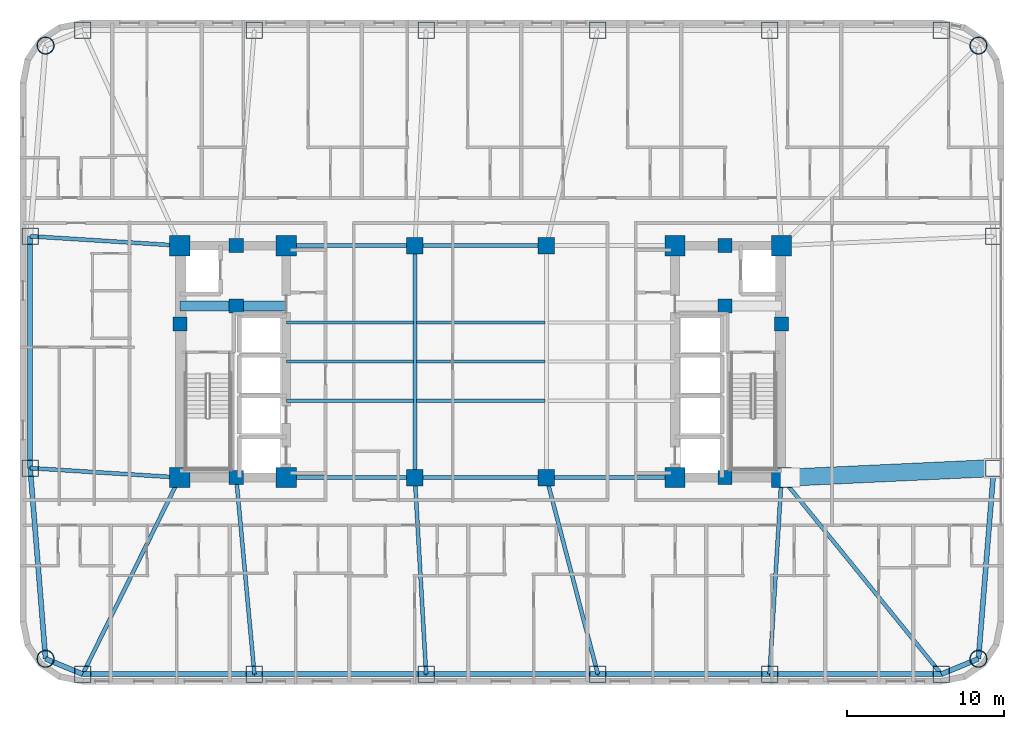
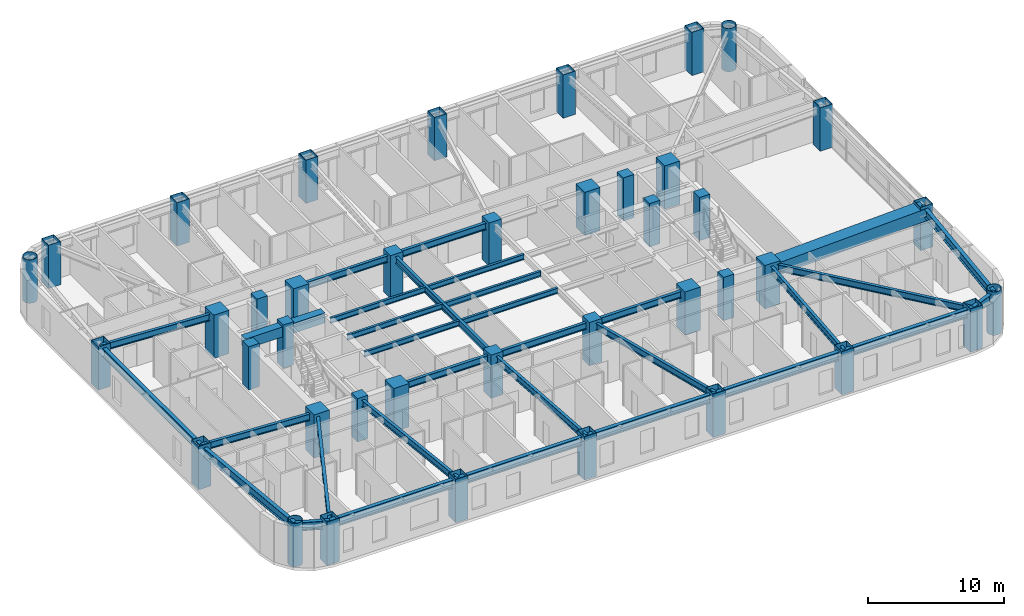
# One storey, part 1 of 16: 40 columns, 32 beams.
"""IFC4 building model written with IfcOpenShell, lengths in metres."""

from ifc_helpers import new_model, si_unit, direction, frame, origin, origin_2d, place, context, subcontext, project, spatial, rectangle, hollow_rectangle, hollow_circle, i_section, extrude, material, material_profile, profile_set, type_object, element, save


model = new_model("IFC4")

# Units and contexts
model_context = context("Model", 3, precision=1e-05, world=origin(), true_north=direction((0.0, 1.0)))
body_context = subcontext(model_context, "Body", "Model", "MODEL_VIEW")
ifc_project = project(units=[si_unit("LENGTHUNIT", "METRE"), si_unit("AREAUNIT", "SQUARE_METRE"), si_unit("VOLUMEUNIT", "CUBIC_METRE"), si_unit("PLANEANGLEUNIT", "RADIAN"), si_unit("MASSUNIT", "GRAM", prefix="KILO")], contexts=[model_context])

# Site, building, storey
site_placement = place(None, origin())
site = spatial("IfcSite", under=ifc_project, at=site_placement, CompositionType="ELEMENT")
building_placement = place(site_placement, origin())
building = spatial("IfcBuilding", under=site, at=building_placement, Name="Voryun Gate Residences", CompositionType="ELEMENT")
storey_placement = place(building_placement, frame((0.0, 0.0, 93.60009765625)))
storey = spatial("IfcBuildingStorey", under=building, at=storey_placement, Name="L22", CompositionType="ELEMENT", Elevation=93.60009765625)

# Columns
ifc_material_1 = material(Name="Concrete C50/60", Category="concrete")
ifc_material_profile_1 = material_profile(ifc_material_1, rectangle(XDim=1.050048828125, YDim=1.050048828125, at=origin_2d()), Name="RC-1050x1050")
ifc_profile_set_1 = profile_set([ifc_material_profile_1], Name="Concrete C50/60")
column_type_1 = type_object("IfcColumnType", Name="COL_CORE_1050", PredefinedType="COLUMN", material=ifc_profile_set_1)
for number, where, z_axis, x_axis, name in (
    (1, (-4.199951171875, -7.39990234375, 0.0), (0.0, 0.0, 1.0), (1.0, 0.0, 0.0), "L22 Interior spine column SP-WS"),
    (2, (-4.199951171875, 7.39990234375, 0.0), (0.0, 0.0, 1.0), (1.0, 0.0, 0.0), "L22 Interior spine column SP-WN"),
    (3, (4.199951171875, -7.39990234375, 0.0), (0.0, 0.0, 1.0), (1.0, 0.0, 0.0), "L22 Interior spine column SP-ES"),
    (4, (4.199951171875, 7.39990234375, 0.0), (0.0, 0.0, 1.0), (1.0, 0.0, 0.0), "L22 Interior spine column SP-EN"),
):
    element("IfcColumn", number, at=place(storey_placement, frame(where, z_axis=z_axis, x_axis=x_axis)), inside=storey, type_object=column_type_1, Name=name, PredefinedType="COLUMN", context=body_context, shape_type="SweptSolid", body=[
        extrude(rectangle(XDim=1.050048828125, YDim=1.050048828125, at=origin_2d()), origin(), (0.0, 0.0, 1.0), 3.89990234375),
    ])
ifc_material_2 = material(Name="Concrete C50/60", Category="concrete")
ifc_material_profile_2 = material_profile(ifc_material_2, rectangle(XDim=0.89990234375, YDim=0.89990234375, at=origin_2d()), Name="RC-900x900")
ifc_profile_set_2 = profile_set([ifc_material_profile_2], Name="Concrete C50/60")
column_type_2 = type_object("IfcColumnType", Name="COL_CORE_900", PredefinedType="COLUMN", material=ifc_profile_set_2)
for number, where, z_axis, x_axis, name in (
    (5, (-19.199951171875, 2.39990234375, 0.0), (0.0, 0.0, 1.0), (1.0, 0.0, 0.0), "L22 Core boundary column WC-MW"),
    (6, (-15.60009765625, -7.39990234375, 0.0), (0.0, 0.0, 1.0), (1.0, 0.0, 0.0), "L22 Core boundary column WC-SM"),
    (7, (-15.60009765625, 7.39990234375, 0.0), (0.0, 0.0, 1.0), (1.0, 0.0, 0.0), "L22 Core boundary column WC-NM"),
    (8, (-15.60009765625, 3.550048828125, 0.0), (0.0, 0.0, 1.0), (1.0, 0.0, 0.0), "L22 Core boundary column WC-MM"),
    (9, (15.60009765625, 3.550048828125, 0.0), (0.0, 0.0, 1.0), (1.0, 0.0, 0.0), "L22 Core boundary column EC-MM"),
    (10, (15.60009765625, -7.39990234375, 0.0), (0.0, 0.0, 1.0), (1.0, 0.0, 0.0), "L22 Core boundary column EC-SM"),
    (11, (15.60009765625, 7.39990234375, 0.0), (0.0, 0.0, 1.0), (1.0, 0.0, 0.0), "L22 Core boundary column EC-NM"),
    (12, (19.199951171875, 2.39990234375, 0.0), (0.0, 0.0, 1.0), (1.0, 0.0, 0.0), "L22 Core boundary column EC-ME"),
):
    element("IfcColumn", number, at=place(storey_placement, frame(where, z_axis=z_axis, x_axis=x_axis)), inside=storey, type_object=column_type_2, Name=name, PredefinedType="COLUMN", context=body_context, shape_type="SweptSolid", body=[
        extrude(rectangle(XDim=0.89990234375, YDim=0.89990234375, at=origin_2d()), origin(), (0.0, 0.0, 1.0), 3.89990234375),
    ])
ifc_material_3 = material(Name="Steel SM420", Category="steel")
ifc_material_profile_3 = material_profile(ifc_material_3, hollow_circle(Radius=0.550048828125, WallThickness=0.035888671875, at=origin_2d()), Name="CHS-1100x36")
ifc_profile_set_3 = profile_set([ifc_material_profile_3], Name="Steel SM420")
column_type_3 = type_object("IfcColumnType", Name="COL_CRN_1100", PredefinedType="COLUMN", material=ifc_profile_set_3)
for number, where, z_axis, x_axis, name in (
    (13, (31.768798828125, -18.96875, 0.0), (0.0, 0.0, 1.0), (1.0, 0.0, 0.0), "L22 Exoskeleton column CSE"),
    (14, (31.768798828125, 20.168701171875, 0.0), (0.0, 0.0, 1.0), (1.0, 0.0, 0.0), "L22 Exoskeleton column CNE"),
    (15, (-27.768798828125, 20.168701171875, 0.0), (0.0, 0.0, 1.0), (1.0, 0.0, 0.0), "L22 Exoskeleton column CNW"),
    (16, (-27.768798828125, -18.96875, 0.0), (0.0, 0.0, 1.0), (1.0, 0.0, 0.0), "L22 Exoskeleton column CSW"),
):
    element("IfcColumn", number, at=place(storey_placement, frame(where, z_axis=z_axis, x_axis=x_axis)), inside=storey, type_object=column_type_3, Name=name, PredefinedType="COLUMN", context=body_context, shape_type="SweptSolid", body=[
        extrude(hollow_circle(Radius=0.550048828125, WallThickness=0.035888671875, at=origin_2d()), origin(), (0.0, 0.0, 1.0), 3.89990234375),
    ])
ifc_material_4 = material(Name="Steel SM420", Category="steel")
ifc_material_profile_4 = material_profile(ifc_material_4, hollow_rectangle(XDim=1.050048828125, YDim=1.050048828125, WallThickness=0.035888671875, at=origin_2d()), Name="BOX-1050x1050x36")
ifc_profile_set_4 = profile_set([ifc_material_profile_4], Name="Steel SM420")
column_type_4 = type_object("IfcColumnType", Name="COL_EXO_B2", PredefinedType="COLUMN", material=ifc_profile_set_4)
for number, where, z_axis, x_axis, name in (
    (17, (-25.39990234375, -19.949951171875, 0.0), (0.0, 0.0, 1.0), (1.0, 0.0, 0.0), "L22 Exoskeleton column S1"),
    (18, (-14.43994140625, -19.949951171875, 0.0), (0.0, 0.0, 1.0), (1.0, 0.0, 0.0), "L22 Exoskeleton column S2"),
    (19, (-3.47998046875, -19.949951171875, 0.0), (0.0, 0.0, 1.0), (1.0, 0.0, 0.0), "L22 Exoskeleton column S3"),
    (20, (7.47998046875, -19.949951171875, 0.0), (0.0, 0.0, 1.0), (1.0, 0.0, 0.0), "L22 Exoskeleton column S4"),
    (21, (18.43994140625, -19.949951171875, 0.0), (0.0, 0.0, 1.0), (1.0, 0.0, 0.0), "L22 Exoskeleton column S5"),
    (22, (29.39990234375, -19.949951171875, 0.0), (0.0, 0.0, 1.0), (1.0, 0.0, 0.0), "L22 Exoskeleton column S6"),
    (23, (32.75, -6.798095703125, 0.0), (0.0, 0.0, 1.0), (1.0, 0.0, 0.0), "L22 Exoskeleton column E1"),
    (24, (32.75, 7.998046875, 0.0), (0.0, 0.0, 1.0), (1.0, 0.0, 0.0), "L22 Exoskeleton column E2"),
    (25, (29.39990234375, 21.14990234375, 0.0), (0.0, 0.0, 1.0), (1.0, 0.0, 0.0), "L22 Exoskeleton column N1"),
    (26, (18.43994140625, 21.14990234375, 0.0), (0.0, 0.0, 1.0), (1.0, 0.0, 0.0), "L22 Exoskeleton column N2"),
    (27, (7.47998046875, 21.14990234375, 0.0), (0.0, 0.0, 1.0), (1.0, 0.0, 0.0), "L22 Exoskeleton column N3"),
    (28, (-3.47998046875, 21.14990234375, 0.0), (0.0, 0.0, 1.0), (1.0, 0.0, 0.0), "L22 Exoskeleton column N4"),
    (29, (-14.43994140625, 21.14990234375, 0.0), (0.0, 0.0, 1.0), (1.0, 0.0, 0.0), "L22 Exoskeleton column N5"),
    (30, (-25.39990234375, 21.14990234375, 0.0), (0.0, 0.0, 1.0), (1.0, 0.0, 0.0), "L22 Exoskeleton column N6"),
    (31, (-28.75, 7.998046875, 0.0), (0.0, 0.0, 1.0), (1.0, 0.0, 0.0), "L22 Exoskeleton column W1"),
    (32, (-28.75, -6.798095703125, 0.0), (0.0, 0.0, 1.0), (1.0, 0.0, 0.0), "L22 Exoskeleton column W2"),
):
    element("IfcColumn", number, at=place(storey_placement, frame(where, z_axis=z_axis, x_axis=x_axis)), inside=storey, type_object=column_type_4, Name=name, PredefinedType="COLUMN", context=body_context, shape_type="SweptSolid", body=[
        extrude(hollow_rectangle(XDim=1.050048828125, YDim=1.050048828125, WallThickness=0.035888671875, at=origin_2d()), origin(), (0.0, 0.0, 1.0), 3.89990234375),
    ])
ifc_material_5 = material(Name="Concrete C60/75", Category="concrete")
ifc_material_profile_5 = material_profile(ifc_material_5, rectangle(XDim=1.300048828125, YDim=1.300048828125, at=origin_2d()), Name="RC-1300x1300")
ifc_profile_set_5 = profile_set([ifc_material_profile_5], Name="Concrete C60/75")
column_type_5 = type_object("IfcColumnType", Name="COL_MEGA_1300", PredefinedType="COLUMN", material=ifc_profile_set_5)
for number, where, z_axis, x_axis, name in (
    (33, (-19.199951171875, -7.39990234375, 0.0), (0.0, 0.0, 1.0), (1.0, 0.0, 0.0), "L22 Core boundary column WC-SW"),
    (34, (-19.199951171875, 7.39990234375, 0.0), (0.0, 0.0, 1.0), (1.0, 0.0, 0.0), "L22 Core boundary column WC-NW"),
    (35, (-12.39990234375, -7.39990234375, 0.0), (0.0, 0.0, 1.0), (1.0, 0.0, 0.0), "L22 Core boundary column WC-SE"),
    (36, (-12.39990234375, 7.39990234375, 0.0), (0.0, 0.0, 1.0), (1.0, 0.0, 0.0), "L22 Core boundary column WC-NE"),
    (37, (12.39990234375, -7.39990234375, 0.0), (0.0, 0.0, 1.0), (1.0, 0.0, 0.0), "L22 Core boundary column EC-SW"),
    (38, (12.39990234375, 7.39990234375, 0.0), (0.0, 0.0, 1.0), (1.0, 0.0, 0.0), "L22 Core boundary column EC-NW"),
    (39, (19.199951171875, -7.39990234375, 0.0), (0.0, 0.0, 1.0), (1.0, 0.0, 0.0), "L22 Core boundary column EC-SE"),
    (40, (19.199951171875, 7.39990234375, 0.0), (0.0, 0.0, 1.0), (1.0, 0.0, 0.0), "L22 Core boundary column EC-NE"),
):
    element("IfcColumn", number, at=place(storey_placement, frame(where, z_axis=z_axis, x_axis=x_axis)), inside=storey, type_object=column_type_5, Name=name, PredefinedType="COLUMN", context=body_context, shape_type="SweptSolid", body=[
        extrude(rectangle(XDim=1.300048828125, YDim=1.300048828125, at=origin_2d()), origin(), (0.0, 0.0, 1.0), 3.89990234375),
    ])

# Beams
ifc_material_6 = material(Name="Steel SM420", Category="steel")
ifc_material_profile_6 = material_profile(ifc_material_6, hollow_rectangle(XDim=1.10009765625, YDim=1.10009765625, WallThickness=0.035888671875, at=origin_2d()), Name="BOX-1100x1100x36")
ifc_profile_set_6 = profile_set([ifc_material_profile_6], Name="Steel SM420")
beam_type_1 = type_object("IfcBeamType", Name="BM_ARCH_RIB", PredefinedType="USERDEFINED", material=ifc_profile_set_6)
beam_1_placement = place(storey_placement, frame((19.75, -7.39990234375, 3.099853515625), z_axis=(0.998930206616, 0.046243294759, 0.0), x_axis=(-0.046243294759, 0.998930206616, 0.0)))
element("IfcBeam", 41, at=beam_1_placement, inside=storey, type_object=beam_type_1, Name="BM-L22-RAD-E1", ObjectType="GIRDER", PredefinedType="USERDEFINED", context=body_context, shape_type="SweptSolid", body=[
    extrude(hollow_rectangle(XDim=1.10009765625, YDim=1.10009765625, WallThickness=0.035888671875, at=origin_2d()), origin(), (0.0, 0.0, 1.0), 13.013916015625),
])
ifc_material_7 = material(Name="Concrete C60/75", Category="concrete")
ifc_material_profile_7 = material_profile(ifc_material_7, rectangle(XDim=0.64990234375, YDim=0.89990234375, at=origin_2d()), Name="RC-650x900")
ifc_profile_set_7 = profile_set([ifc_material_profile_7], Name="Concrete C60/75")
beam_type_2 = type_object("IfcBeamType", Name="BM_COUP_RC900", PredefinedType="LINTEL", material=ifc_profile_set_7)
beam_2_placement = place(storey_placement, frame((-19.199951171875, 3.550048828125, 3.199951171875), z_axis=(1.0, 0.0, 0.0), x_axis=(0.0, 1.0, 0.0)))
element("IfcBeam", 42, at=beam_2_placement, inside=storey, type_object=beam_type_2, Name="BM-L22-WC1", PredefinedType="LINTEL", context=body_context, shape_type="SweptSolid", body=[
    extrude(rectangle(XDim=0.64990234375, YDim=0.89990234375, at=origin_2d()), origin(), (0.0, 0.0, 1.0), 6.800048828125),
])
ifc_material_8 = material(Name="Steel SM355", Category="steel")
ifc_material_profile_8 = material_profile(ifc_material_8, i_section(OverallWidth=0.320068359375, OverallDepth=0.75, WebThickness=0.01611328125, FlangeThickness=0.028076171875, FilletRadius=0.01806640625, at=origin_2d()), Name="H-750x320x16x28")
ifc_profile_set_8 = profile_set([ifc_material_profile_8], Name="Steel SM355")
beam_type_3 = type_object("IfcBeamType", Name="BM_EXO_SPANDREL_L", PredefinedType="SPANDREL", material=ifc_profile_set_8)
for number, where, z_axis, x_axis, name in (
    (43, (-25.39990234375, -19.949951171875, 3.27490234375), (1.0, 0.0, 0.0), (0.0, 1.0, 0.0), "BM-L22-SPAND-01"),
    (44, (-14.43994140625, -19.949951171875, 3.27490234375), (1.0, 0.0, 0.0), (0.0, 1.0, 0.0), "BM-L22-SPAND-02"),
    (45, (-3.47998046875, -19.949951171875, 3.27490234375), (1.0, 0.0, 0.0), (0.0, 1.0, 0.0), "BM-L22-SPAND-03"),
    (46, (7.47998046875, -19.949951171875, 3.27490234375), (1.0, 0.0, 0.0), (0.0, 1.0, 0.0), "BM-L22-SPAND-04"),
    (47, (18.43994140625, -19.949951171875, 3.27490234375), (1.0, 0.0, 0.0), (0.0, 1.0, 0.0), "BM-L22-SPAND-05"),
):
    element("IfcBeam", number, at=place(storey_placement, frame(where, z_axis=z_axis, x_axis=x_axis)), inside=storey, type_object=beam_type_3, Name=name, PredefinedType="SPANDREL", context=body_context, shape_type="SweptSolid", body=[
        extrude(i_section(OverallWidth=0.320068359375, OverallDepth=0.75, WebThickness=0.01611328125, FlangeThickness=0.028076171875, FilletRadius=0.01806640625, at=origin_2d()), origin(), (0.0, 0.0, 1.0), 10.9599609375),
    ])
beam_3_placement = place(storey_placement, frame((29.39990234375, -19.949951171875, 3.27490234375), z_axis=(0.923883376753, 0.382674151414, 0.0), x_axis=(-0.382674151414, 0.923883376753, 0.0)))
element("IfcBeam", 48, at=beam_3_placement, inside=storey, type_object=beam_type_3, Name="BM-L22-SPAND-06", PredefinedType="SPANDREL", context=body_context, shape_type="SweptSolid", body=[
    extrude(i_section(OverallWidth=0.320068359375, OverallDepth=0.75, WebThickness=0.01611328125, FlangeThickness=0.028076171875, FilletRadius=0.01806640625, at=origin_2d()), origin(), (0.0, 0.0, 1.0), 2.56396484375),
])
beam_4_placement = place(storey_placement, frame((31.768798828125, -18.96875, 3.27490234375), z_axis=(0.080359517973, 0.996765944378, 0.0), x_axis=(-0.996765944378, 0.080359517973, 0.0)))
element("IfcBeam", 49, at=beam_4_placement, inside=storey, type_object=beam_type_3, Name="BM-L22-SPAND-07", PredefinedType="SPANDREL", context=body_context, shape_type="SweptSolid", body=[
    extrude(i_section(OverallWidth=0.320068359375, OverallDepth=0.75, WebThickness=0.01611328125, FlangeThickness=0.028076171875, FilletRadius=0.01806640625, at=origin_2d()), origin(), (0.0, 0.0, 1.0), 12.210205078125),
])
beam_5_placement = place(storey_placement, frame((-28.75, 7.998046875, 3.27490234375), z_axis=(0.0, -1.0, 0.0), x_axis=(1.0, 0.0, 0.0)))
element("IfcBeam", 50, at=beam_5_placement, inside=storey, type_object=beam_type_3, Name="BM-L22-SPAND-18", PredefinedType="SPANDREL", context=body_context, shape_type="SweptSolid", body=[
    extrude(i_section(OverallWidth=0.320068359375, OverallDepth=0.75, WebThickness=0.01611328125, FlangeThickness=0.028076171875, FilletRadius=0.01806640625, at=origin_2d()), origin(), (0.0, 0.0, 1.0), 14.796142578125),
])
beam_6_placement = place(storey_placement, frame((-28.75, -6.798095703125, 3.27490234375), z_axis=(0.080359517973, -0.996765944378, 0.0), x_axis=(0.996765944378, 0.080359517973, 0.0)))
element("IfcBeam", 51, at=beam_6_placement, inside=storey, type_object=beam_type_3, Name="BM-L22-SPAND-19", PredefinedType="SPANDREL", context=body_context, shape_type="SweptSolid", body=[
    extrude(i_section(OverallWidth=0.320068359375, OverallDepth=0.75, WebThickness=0.01611328125, FlangeThickness=0.028076171875, FilletRadius=0.01806640625, at=origin_2d()), origin(), (0.0, 0.0, 1.0), 12.210205078125),
])
beam_7_placement = place(storey_placement, frame((-27.768798828125, -18.96875, 3.27490234375), z_axis=(0.923883376753, -0.382674151414, 0.0), x_axis=(0.382674151414, 0.923883376753, 0.0)))
element("IfcBeam", 52, at=beam_7_placement, inside=storey, type_object=beam_type_3, Name="BM-L22-SPAND-20", PredefinedType="SPANDREL", context=body_context, shape_type="SweptSolid", body=[
    extrude(i_section(OverallWidth=0.320068359375, OverallDepth=0.75, WebThickness=0.01611328125, FlangeThickness=0.028076171875, FilletRadius=0.01806640625, at=origin_2d()), origin(), (0.0, 0.0, 1.0), 2.56396484375),
])
ifc_material_9 = material(Name="Steel SM355", Category="steel")
ifc_material_profile_9 = material_profile(ifc_material_9, i_section(OverallWidth=0.25, OverallDepth=0.60009765625, WebThickness=0.011962890625, FlangeThickness=0.02197265625, FilletRadius=0.01806640625, at=origin_2d()), Name="H-600x250x12x22")
ifc_profile_set_9 = profile_set([ifc_material_profile_9], Name="Steel SM355")
beam_type_4 = type_object("IfcBeamType", Name="BM_GIRD_600", PredefinedType="USERDEFINED", material=ifc_profile_set_9)
beam_8_placement = place(storey_placement, frame((-12.39990234375, -7.39990234375, 3.349853515625), z_axis=(1.0, 0.0, 0.0), x_axis=(0.0, 1.0, 0.0)))
element("IfcBeam", 53, at=beam_8_placement, inside=storey, type_object=beam_type_4, Name="BM-L22-SPG1-S", ObjectType="GIRDER", PredefinedType="USERDEFINED", context=body_context, shape_type="SweptSolid", body=[
    extrude(i_section(OverallWidth=0.25, OverallDepth=0.60009765625, WebThickness=0.011962890625, FlangeThickness=0.02197265625, FilletRadius=0.01806640625, at=origin_2d()), origin(), (0.0, 0.0, 1.0), 8.199951171875),
])
beam_9_placement = place(storey_placement, frame((-4.199951171875, -7.39990234375, 3.349853515625), z_axis=(1.0, 0.0, 0.0), x_axis=(0.0, 1.0, 0.0)))
element("IfcBeam", 54, at=beam_9_placement, inside=storey, type_object=beam_type_4, Name="BM-L22-SPG2-S", ObjectType="GIRDER", PredefinedType="USERDEFINED", context=body_context, shape_type="SweptSolid", body=[
    extrude(i_section(OverallWidth=0.25, OverallDepth=0.60009765625, WebThickness=0.011962890625, FlangeThickness=0.02197265625, FilletRadius=0.01806640625, at=origin_2d()), origin(), (0.0, 0.0, 1.0), 8.39990234375),
])
for number, where, z_axis, x_axis, name in (
    (55, (4.199951171875, -7.39990234375, 3.349853515625), (1.0, 0.0, 0.0), (0.0, 1.0, 0.0), "BM-L22-SPG3-S"),
    (56, (-12.39990234375, 7.39990234375, 3.349853515625), (1.0, 0.0, 0.0), (0.0, 1.0, 0.0), "BM-L22-SPG1-N"),
):
    element("IfcBeam", number, at=place(storey_placement, frame(where, z_axis=z_axis, x_axis=x_axis)), inside=storey, type_object=beam_type_4, Name=name, ObjectType="GIRDER", PredefinedType="USERDEFINED", context=body_context, shape_type="SweptSolid", body=[
        extrude(i_section(OverallWidth=0.25, OverallDepth=0.60009765625, WebThickness=0.011962890625, FlangeThickness=0.02197265625, FilletRadius=0.01806640625, at=origin_2d()), origin(), (0.0, 0.0, 1.0), 8.199951171875),
    ])
beam_10_placement = place(storey_placement, frame((-4.199951171875, 7.39990234375, 3.349853515625), z_axis=(1.0, 0.0, 0.0), x_axis=(0.0, 1.0, 0.0)))
element("IfcBeam", 57, at=beam_10_placement, inside=storey, type_object=beam_type_4, Name="BM-L22-SPG2-N", ObjectType="GIRDER", PredefinedType="USERDEFINED", context=body_context, shape_type="SweptSolid", body=[
    extrude(i_section(OverallWidth=0.25, OverallDepth=0.60009765625, WebThickness=0.011962890625, FlangeThickness=0.02197265625, FilletRadius=0.01806640625, at=origin_2d()), origin(), (0.0, 0.0, 1.0), 8.39990234375),
])
beam_11_placement = place(storey_placement, frame((-4.199951171875, -7.39990234375, 3.349853515625), z_axis=(0.0, 1.0, 0.0), x_axis=(-1.0, 0.0, 0.0)))
element("IfcBeam", 58, at=beam_11_placement, inside=storey, type_object=beam_type_4, Name="BM-L22-SPX-W", ObjectType="GIRDER", PredefinedType="USERDEFINED", context=body_context, shape_type="SweptSolid", body=[
    extrude(i_section(OverallWidth=0.25, OverallDepth=0.60009765625, WebThickness=0.011962890625, FlangeThickness=0.02197265625, FilletRadius=0.01806640625, at=origin_2d()), origin(), (0.0, 0.0, 1.0), 14.7998046875),
])
beam_12_placement = place(storey_placement, frame((-19.199951171875, -7.39990234375, 3.349853515625), z_axis=(-0.442917927955, -0.896562161312, 0.0), x_axis=(0.896562161312, -0.442917927955, 0.0)))
element("IfcBeam", 59, at=beam_12_placement, inside=storey, type_object=beam_type_4, Name="BM-L22-RAD-S1", ObjectType="GIRDER", PredefinedType="USERDEFINED", context=body_context, shape_type="SweptSolid", body=[
    extrude(i_section(OverallWidth=0.25, OverallDepth=0.60009765625, WebThickness=0.011962890625, FlangeThickness=0.02197265625, FilletRadius=0.01806640625, at=origin_2d()), origin(), (0.0, 0.0, 1.0), 13.998046875),
])
beam_13_placement = place(storey_placement, frame((-15.60009765625, -7.39990234375, 3.349853515625), z_axis=(0.092049895705, -0.995754395773, 0.0), x_axis=(0.995754395773, 0.092049895705, 0.0)))
element("IfcBeam", 60, at=beam_13_placement, inside=storey, type_object=beam_type_4, Name="BM-L22-RAD-S2", ObjectType="GIRDER", PredefinedType="USERDEFINED", context=body_context, shape_type="SweptSolid", body=[
    extrude(i_section(OverallWidth=0.25, OverallDepth=0.60009765625, WebThickness=0.011962890625, FlangeThickness=0.02197265625, FilletRadius=0.01806640625, at=origin_2d()), origin(), (0.0, 0.0, 1.0), 12.603515625),
])
beam_14_placement = place(storey_placement, frame((-4.199951171875, -7.39990234375, 3.349853515625), z_axis=(0.057273791334, -0.998358509167, 0.0), x_axis=(0.998358509167, 0.057273791334, 0.0)))
element("IfcBeam", 61, at=beam_14_placement, inside=storey, type_object=beam_type_4, Name="BM-L22-RAD-S3", ObjectType="GIRDER", PredefinedType="USERDEFINED", context=body_context, shape_type="SweptSolid", body=[
    extrude(i_section(OverallWidth=0.25, OverallDepth=0.60009765625, WebThickness=0.011962890625, FlangeThickness=0.02197265625, FilletRadius=0.01806640625, at=origin_2d()), origin(), (0.0, 0.0, 1.0), 12.57080078125),
])
beam_15_placement = place(storey_placement, frame((4.199951171875, -7.39990234375, 3.349853515625), z_axis=(0.252862419611, -0.967502246379, 0.0), x_axis=(0.967502246379, 0.252862419611, 0.0)))
element("IfcBeam", 62, at=beam_15_placement, inside=storey, type_object=beam_type_4, Name="BM-L22-RAD-S4", ObjectType="GIRDER", PredefinedType="USERDEFINED", context=body_context, shape_type="SweptSolid", body=[
    extrude(i_section(OverallWidth=0.25, OverallDepth=0.60009765625, WebThickness=0.011962890625, FlangeThickness=0.02197265625, FilletRadius=0.01806640625, at=origin_2d()), origin(), (0.0, 0.0, 1.0), 12.9716796875),
])
beam_16_placement = place(storey_placement, frame((19.199951171875, -7.39990234375, 3.349853515625), z_axis=(-0.060447572917, -0.998171373527, 0.0), x_axis=(0.998171373527, -0.060447572917, 0.0)))
element("IfcBeam", 63, at=beam_16_placement, inside=storey, type_object=beam_type_4, Name="BM-L22-RAD-S5", ObjectType="GIRDER", PredefinedType="USERDEFINED", context=body_context, shape_type="SweptSolid", body=[
    extrude(i_section(OverallWidth=0.25, OverallDepth=0.60009765625, WebThickness=0.011962890625, FlangeThickness=0.02197265625, FilletRadius=0.01806640625, at=origin_2d()), origin(), (0.0, 0.0, 1.0), 12.572998046875),
])
beam_17_placement = place(storey_placement, frame((19.199951171875, -7.39990234375, 3.349853515625), z_axis=(0.63070571586, -0.776022100189, 0.0), x_axis=(0.776022100189, 0.63070571586, 0.0)))
element("IfcBeam", 64, at=beam_17_placement, inside=storey, type_object=beam_type_4, Name="BM-L22-RAD-S6", ObjectType="GIRDER", PredefinedType="USERDEFINED", context=body_context, shape_type="SweptSolid", body=[
    extrude(i_section(OverallWidth=0.25, OverallDepth=0.60009765625, WebThickness=0.011962890625, FlangeThickness=0.02197265625, FilletRadius=0.01806640625, at=origin_2d()), origin(), (0.0, 0.0, 1.0), 16.17236328125),
])
beam_18_placement = place(storey_placement, frame((-19.199951171875, 7.39990234375, 3.349853515625), z_axis=(-0.998044329736, 0.062510126233, 0.0), x_axis=(-0.062510126233, -0.998044329736, 0.0)))
element("IfcBeam", 65, at=beam_18_placement, inside=storey, type_object=beam_type_4, Name="BM-L22-RAD-W1", ObjectType="GIRDER", PredefinedType="USERDEFINED", context=body_context, shape_type="SweptSolid", body=[
    extrude(i_section(OverallWidth=0.25, OverallDepth=0.60009765625, WebThickness=0.011962890625, FlangeThickness=0.02197265625, FilletRadius=0.01806640625, at=origin_2d()), origin(), (0.0, 0.0, 1.0), 9.56884765625),
])
beam_19_placement = place(storey_placement, frame((-19.199951171875, -7.39990234375, 3.349853515625), z_axis=(-0.998020380726, 0.062891332119, 0.0), x_axis=(-0.062891332119, -0.998020380726, 0.0)))
element("IfcBeam", 66, at=beam_19_placement, inside=storey, type_object=beam_type_4, Name="BM-L22-RAD-W2", ObjectType="GIRDER", PredefinedType="USERDEFINED", context=body_context, shape_type="SweptSolid", body=[
    extrude(i_section(OverallWidth=0.25, OverallDepth=0.60009765625, WebThickness=0.011962890625, FlangeThickness=0.02197265625, FilletRadius=0.01806640625, at=origin_2d()), origin(), (0.0, 0.0, 1.0), 9.569091796875),
])
ifc_material_10 = material(Name="Steel SM355", Category="steel")
ifc_material_profile_10 = material_profile(ifc_material_10, i_section(OverallWidth=0.199951171875, OverallDepth=0.47998046875, WebThickness=0.010009765625, FlangeThickness=0.01806640625, FilletRadius=0.01806640625, at=origin_2d()), Name="H-480x200x10x18")
ifc_profile_set_10 = profile_set([ifc_material_profile_10], Name="Steel SM355")
beam_type_5 = type_object("IfcBeamType", Name="BM_SEC_480", PredefinedType="BEAM", material=ifc_profile_set_10)
beam_20_placement = place(storey_placement, frame((-12.39990234375, -2.5, 3.409912109375), z_axis=(1.0, 0.0, 0.0), x_axis=(0.0, 1.0, 0.0)))
element("IfcBeam", 67, at=beam_20_placement, inside=storey, type_object=beam_type_5, Name="BM-L22-SEC-CS1", PredefinedType="BEAM", context=body_context, shape_type="SweptSolid", body=[
    extrude(i_section(OverallWidth=0.199951171875, OverallDepth=0.47998046875, WebThickness=0.010009765625, FlangeThickness=0.01806640625, FilletRadius=0.01806640625, at=origin_2d()), origin(), (0.0, 0.0, 1.0), 8.099853515625),
])
beam_21_placement = place(storey_placement, frame((-4.10009765625, -2.5, 3.409912109375), z_axis=(1.0, 0.0, 0.0), x_axis=(0.0, 1.0, 0.0)))
element("IfcBeam", 68, at=beam_21_placement, inside=storey, type_object=beam_type_5, Name="BM-L22-SEC-CS2", PredefinedType="BEAM", context=body_context, shape_type="SweptSolid", body=[
    extrude(i_section(OverallWidth=0.199951171875, OverallDepth=0.47998046875, WebThickness=0.010009765625, FlangeThickness=0.01806640625, FilletRadius=0.01806640625, at=origin_2d()), origin(), (0.0, 0.0, 1.0), 8.2001953125),
])
beam_22_placement = place(storey_placement, frame((-12.39990234375, 0.0, 3.409912109375), z_axis=(1.0, 0.0, 0.0), x_axis=(0.0, 1.0, 0.0)))
element("IfcBeam", 69, at=beam_22_placement, inside=storey, type_object=beam_type_5, Name="BM-L22-SEC-CM1", PredefinedType="BEAM", context=body_context, shape_type="SweptSolid", body=[
    extrude(i_section(OverallWidth=0.199951171875, OverallDepth=0.47998046875, WebThickness=0.010009765625, FlangeThickness=0.01806640625, FilletRadius=0.01806640625, at=origin_2d()), origin(), (0.0, 0.0, 1.0), 8.099853515625),
])
beam_23_placement = place(storey_placement, frame((-4.10009765625, 0.0, 3.409912109375), z_axis=(1.0, 0.0, 0.0), x_axis=(0.0, 1.0, 0.0)))
element("IfcBeam", 70, at=beam_23_placement, inside=storey, type_object=beam_type_5, Name="BM-L22-SEC-CM2", PredefinedType="BEAM", context=body_context, shape_type="SweptSolid", body=[
    extrude(i_section(OverallWidth=0.199951171875, OverallDepth=0.47998046875, WebThickness=0.010009765625, FlangeThickness=0.01806640625, FilletRadius=0.01806640625, at=origin_2d()), origin(), (0.0, 0.0, 1.0), 8.2001953125),
])
beam_24_placement = place(storey_placement, frame((-12.39990234375, 2.5, 3.409912109375), z_axis=(1.0, 0.0, 0.0), x_axis=(0.0, 1.0, 0.0)))
element("IfcBeam", 71, at=beam_24_placement, inside=storey, type_object=beam_type_5, Name="BM-L22-SEC-CN1", PredefinedType="BEAM", context=body_context, shape_type="SweptSolid", body=[
    extrude(i_section(OverallWidth=0.199951171875, OverallDepth=0.47998046875, WebThickness=0.010009765625, FlangeThickness=0.01806640625, FilletRadius=0.01806640625, at=origin_2d()), origin(), (0.0, 0.0, 1.0), 8.099853515625),
])
beam_25_placement = place(storey_placement, frame((-4.10009765625, 2.5, 3.409912109375), z_axis=(1.0, 0.0, 0.0), x_axis=(0.0, 1.0, 0.0)))
element("IfcBeam", 72, at=beam_25_placement, inside=storey, type_object=beam_type_5, Name="BM-L22-SEC-CN2", PredefinedType="BEAM", context=body_context, shape_type="SweptSolid", body=[
    extrude(i_section(OverallWidth=0.199951171875, OverallDepth=0.47998046875, WebThickness=0.010009765625, FlangeThickness=0.01806640625, FilletRadius=0.01806640625, at=origin_2d()), origin(), (0.0, 0.0, 1.0), 8.2001953125),
])

save(model, "model.ifc")
